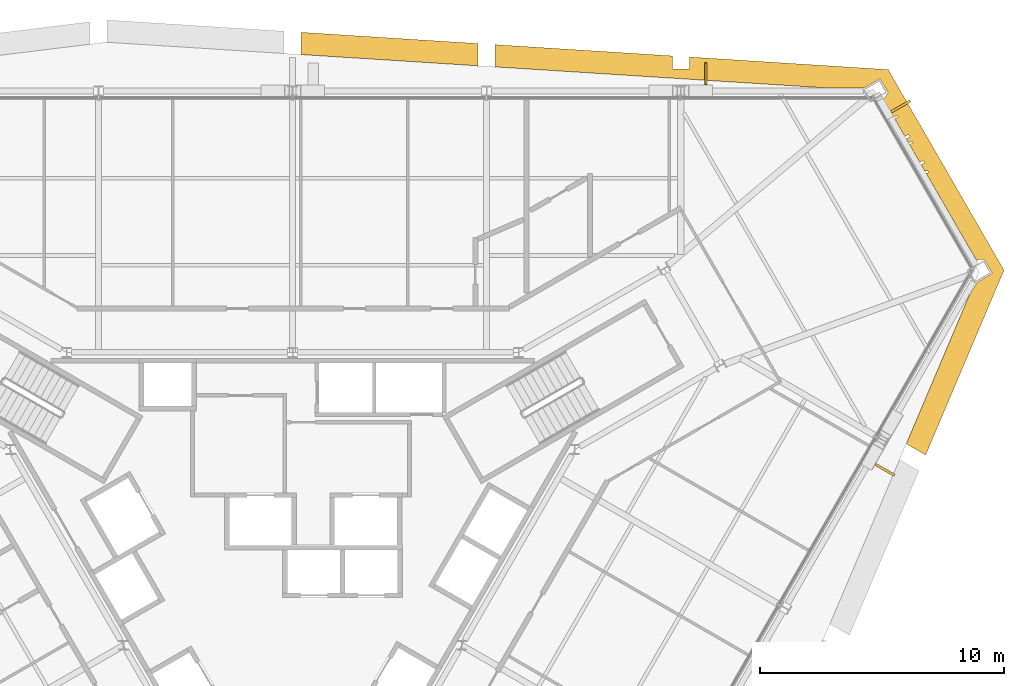
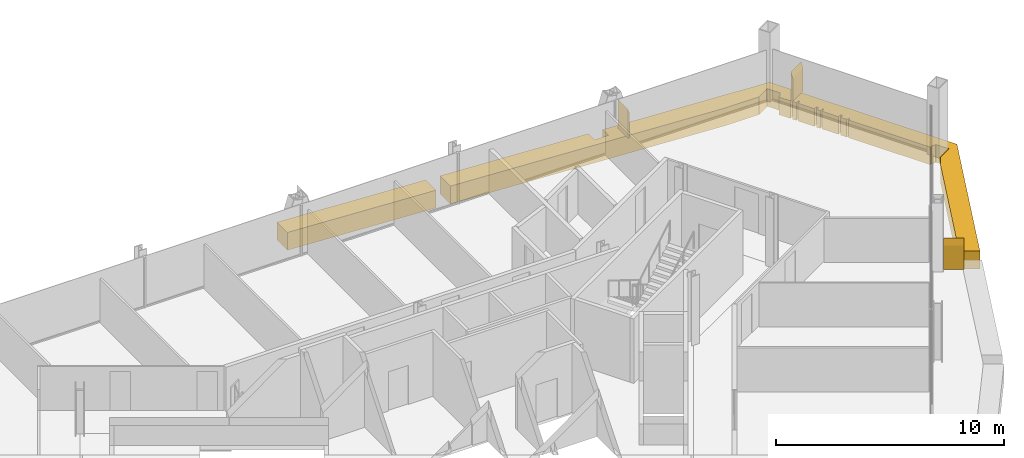
# One storey, part 14 of 14: 5 coverings.
"""IFC4 building model written with IfcOpenShell, lengths in metres."""

from ifc_helpers import new_model, si_unit, direction, frame, origin, place, context, subcontext, project, spatial, polyline, outline, extrude, material, layer, layer_set, type_object, element, save


model = new_model("IFC4")

# Units and contexts
model_context = context("Model", 3, precision=1e-05, world=origin(), true_north=direction((0.0, 1.0)))
body_context = subcontext(model_context, "Body", "Model", "MODEL_VIEW")
ifc_project = project(units=[si_unit("LENGTHUNIT", "METRE"), si_unit("AREAUNIT", "SQUARE_METRE"), si_unit("VOLUMEUNIT", "CUBIC_METRE"), si_unit("PLANEANGLEUNIT", "RADIAN"), si_unit("MASSUNIT", "GRAM", prefix="KILO")], contexts=[model_context])

# Site, building, storey
site_placement = place(None, origin())
site = spatial("IfcSite", under=ifc_project, at=site_placement, CompositionType="ELEMENT")
building_placement = place(site_placement, origin())
building = spatial("IfcBuilding", under=site, at=building_placement, Name="Verrane Prism Tower", CompositionType="ELEMENT")
storey_placement = place(building_placement, frame((0.0, 0.0, 196.89990234375)))
storey = spatial("IfcBuildingStorey", under=building, at=storey_placement, Name="L49", CompositionType="ELEMENT", Elevation=196.89990234375)

# Coverings
ifc_material_1 = material(Name="Warm limestone cladding", Category="masonry")
ifc_layer_1 = layer(ifc_material_1, 0.89990234375)
ifc_layer_set_1 = layer_set([ifc_layer_1], Name="Stone brace fin 900")
covering_type_1 = type_object("IfcCoveringType", Name="Stone brace fin 900", PredefinedType="CLADDING", material=ifc_layer_set_1)
covering_1_placement = place(storey_placement, frame((16.9609375, 19.4140625, 0.0), z_axis=(0.0, 0.0, 1.0), x_axis=(-1.0, 0.0, 0.0)))
element("IfcCovering", 1, at=covering_1_placement, inside=storey, type_object=covering_type_1, Name="Stone brace fin N1 L49", PredefinedType="CLADDING", context=body_context, shape_type="SweptSolid", body=[
    extrude(outline(polyline([(0.0, 0.0), (0.080078125, 0.0), (0.080078125, 1.548583984375), (0.0, 1.283447265625), (0.0, 0.0)])), frame((0.0, 0.449951171875, 0.0), z_axis=(0.0, -1.0, 0.0), x_axis=(1.0, 0.0, 0.0)), (0.0, 0.0, 1.0), 0.89990234375),
])
covering_2_placement = place(storey_placement, frame((24.240234375, 3.1513671875, 0.0), z_axis=(0.0, 0.0, 1.0), x_axis=(0.496138938357, 0.868243142124, 0.0)))
element("IfcCovering", 2, at=covering_2_placement, inside=storey, type_object=covering_type_1, Name="Stone brace fin SE5 L49", PredefinedType="CLADDING", context=body_context, shape_type="SweptSolid", body=[
    extrude(outline(polyline([(0.0, 0.0), (0.09619140625, 0.0), (0.09619140625, 1.6015625), (0.0, 1.283447265625), (0.0, 0.0)])), frame((0.0, 0.449951171875, 0.0), z_axis=(0.0, -1.0, 0.0), x_axis=(1.0, 0.0, 0.0)), (0.0, 0.0, 1.0), 0.89990234375),
])
covering_3_placement = place(storey_placement, frame((24.9443359375, 18.035888671875, 0.0), z_axis=(0.0, 0.0, 1.0), x_axis=(-0.4982416694, 0.867038199201, 0.0)))
element("IfcCovering", 3, at=covering_3_placement, inside=storey, type_object=covering_type_1, Name="Stone brace fin NE1 L49", PredefinedType="CLADDING", context=body_context, shape_type="SweptSolid", body=[
    extrude(outline(polyline([(0.0, 0.0), (0.099853515625, 0.0), (0.099853515625, 1.5458984375), (0.0, 1.23388671875), (0.0, 0.0)])), frame((0.0, 0.449951171875, 0.0), z_axis=(0.0, -1.0, 0.0), x_axis=(1.0, 0.0, 0.0)), (0.0, 0.0, 1.0), 0.89990234375),
])
ifc_material_2 = material(Name="Warm limestone cladding", Category="masonry")
ifc_layer_2 = layer(ifc_material_2, 0.449951171875)
ifc_layer_set_2 = layer_set([ifc_layer_2], Name="Stone spandrel band 450")
covering_type_2 = type_object("IfcCoveringType", Name="Stone spandrel band 450", PredefinedType="CLADDING", material=ifc_layer_set_2)
covering_4_placement = place(storey_placement, frame((0.0, 0.0, -0.949951171875)))
element("IfcCovering", 4, at=covering_4_placement, inside=storey, type_object=covering_type_2, Name="Stone spandrel band L49 part 2", PredefinedType="CLADDING", context=body_context, shape_type="SweptSolid", body=[
    extrude(outline(polyline([(8.30224609375, 19.697998046875), (21.757080078125, 18.843505859375), (23.430908203125, 18.843505859375), (24.0673828125, 19.210693359375), (24.3974609375, 18.63916015625), (24.37841796875, 18.628173828125), (24.267578125, 18.43896484375), (24.192138671875, 18.3955078125), (24.481201171875, 17.895263671875), (24.627685546875, 17.979736328125), (24.6826171875, 17.885009765625), (24.535888671875, 17.80029296875), (24.632080078125, 17.6337890625), (24.778564453125, 17.71826171875), (24.814208984375, 17.656494140625), (24.667724609375, 17.572021484375), (25.088134765625, 16.84375), (25.234619140625, 16.927978515625), (25.291015625, 16.830078125), (25.144775390625, 16.745849609375), (25.2421875, 16.57666015625), (25.388671875, 16.6611328125), (25.42431640625, 16.599609375), (25.27783203125, 16.51513671875), (25.698486328125, 15.78662109375), (25.844482421875, 15.870849609375), (25.901123046875, 15.77294921875), (25.7548828125, 15.688720703125), (25.897705078125, 15.441650390625), (26.034912109375, 15.427734375), (26.0263671875, 15.3447265625), (25.948974609375, 15.352783203125), (28.025146484375, 11.7568359375), (28.099609375, 11.7998046875), (28.318359375, 11.7998046875), (28.33740234375, 11.810791015625), (28.66748046875, 11.2392578125), (28.037353515625, 10.87548828125), (27.706298828125, 10.302001953125), (25.142333984375, 4.253173828125), (25.936279296875, 3.794921875), (29.146240234375, 11.367919921875), (24.40087890625, 19.587158203125), (16.25439453125, 20.1044921875), (16.25439453125, 19.60302734375), (15.554443359375, 19.60302734375), (15.554443359375, 20.14892578125), (8.30224609375, 20.609619140625), (8.30224609375, 19.697998046875)])), origin(), (0.0, 0.0, 1.0), 0.949951171875),
])
covering_5_placement = place(storey_placement, frame((0.0, 0.0, -0.949951171875)))
element("IfcCovering", 5, at=covering_5_placement, inside=storey, type_object=covering_type_2, Name="Stone spandrel band L49 part 10", PredefinedType="CLADDING", context=body_context, shape_type="SweptSolid", body=[
    extrude(outline(polyline([(0.35009765625, 20.202880859375), (7.602294921875, 19.7421875), (7.602294921875, 20.654052734375), (0.35009765625, 21.114501953125), (0.35009765625, 20.202880859375)])), origin(), (0.0, 0.0, 1.0), 0.949951171875),
])

save(model, "model.ifc")
